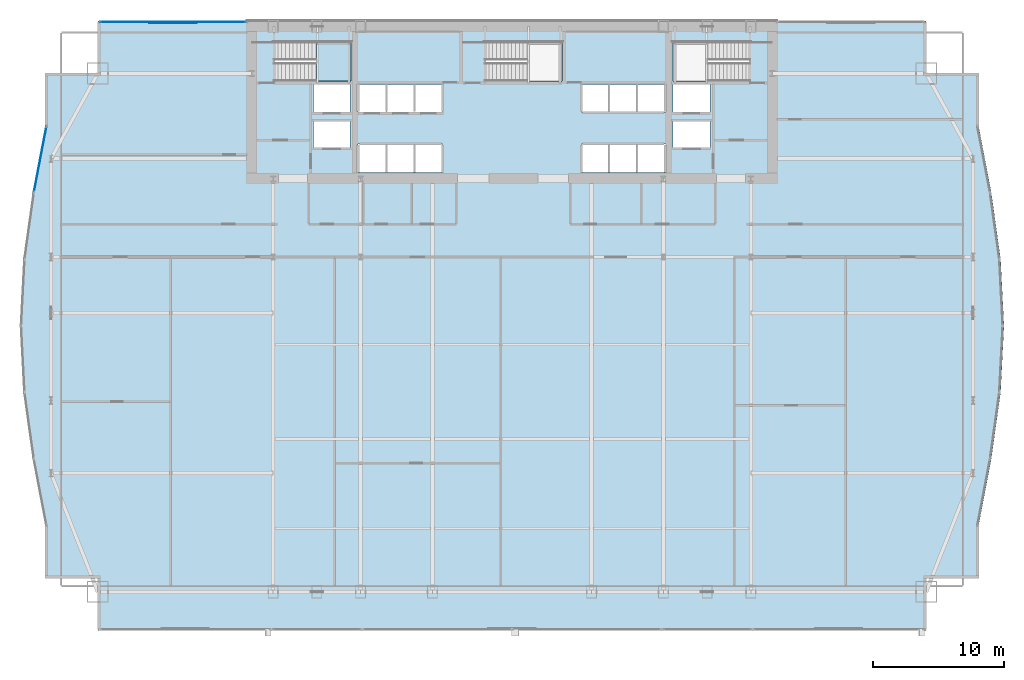
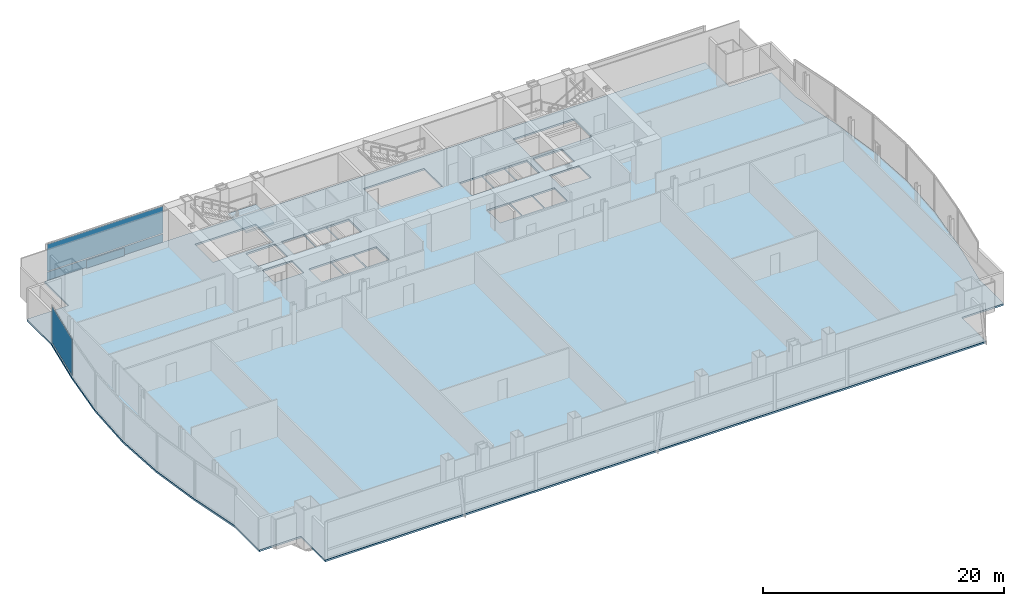
# One storey, part 28 of 37: 4 plates, 2 slabs, 3 elements without a shape of their own.
"""IFC4 building model written with IfcOpenShell, lengths in metres."""

import ifcopenshell
import ifcopenshell.guid

model = None  # the IFC model being written
_history = None  # IfcOwnerHistory: only IFC2X3 demands one
_inside = {}  # id of a spatial element -> (the spatial element, [elements in it])
_under = {}  # id of a project, library or spatial element -> (it, [spatial elements below it])
_declared = {}  # id of a project -> (the project, [libraries it declares])
_typed = {}  # id of a type object -> (the type object, [elements of that type])
_made_of = {}  # id of a material, layer set ... -> (it, [elements and type objects made of it])


def new_model(schema):
    """Start an empty IFC model of exactly this schema.

    Asked for "IFC4X3", IfcOpenShell would pick the latest addendum, in which some entities
    have other attributes; the version numbers below select the first issue.
    IFC2X3 requires an IfcOwnerHistory on every rooted entity: one is made here for all.
    """
    global model, _history
    if schema == "IFC4X3":
        model = ifcopenshell.file(schema_version=(4, 3, 0, 0))
    else:
        model = ifcopenshell.file(schema=schema)
    _inside.clear()
    _under.clear()
    _declared.clear()
    _typed.clear()
    _made_of.clear()
    _history = None
    if model.schema == "IFC2X3":
        org = make("IfcOrganization", Name="unknown")
        user = make(
            "IfcPersonAndOrganization",
            ThePerson=make("IfcPerson", FamilyName="unknown"),
            TheOrganization=org,
        )
        app = make(
            "IfcApplication",
            ApplicationDeveloper=org,
            Version="unknown",
            ApplicationFullName="unknown",
            ApplicationIdentifier="unknown",
        )
        _history = make(
            "IfcOwnerHistory",
            OwningUser=user,
            OwningApplication=app,
            ChangeAction="ADDED",
            CreationDate=0,
        )
    return model


def make(cls, **values):
    """One entity of the class cls with the attributes given. An attribute that is None is left unset."""
    return model.create_entity(
        cls, **{name: value for name, value in values.items() if value is not None}
    )


def rooted(cls, **values):
    """An entity with a GlobalId (a new one), such as an element, a storey or a relation."""
    return make(cls, GlobalId=ifcopenshell.guid.new(), OwnerHistory=_history, **values)


def si_unit(unit_type, name, prefix=None):
    """IfcSIUnit, for example si_unit("LENGTHUNIT", "METRE", prefix="MILLI")."""
    return make("IfcSIUnit", UnitType=unit_type, Prefix=prefix, Name=name)


def assignment(units):
    """IfcUnitAssignment: the units of a project."""
    return None if units is None else make("IfcUnitAssignment", Units=units)


def point(xyz):
    """IfcCartesianPoint."""
    return None if xyz is None else make("IfcCartesianPoint", Coordinates=xyz)


def direction(xyz):
    """IfcDirection."""
    return None if xyz is None else make("IfcDirection", DirectionRatios=xyz)


def frame(location, z_axis=None, x_axis=None):
    """IfcAxis2Placement3D, a coordinate frame: its origin and axes. An axis left out is left unset."""
    return make(
        "IfcAxis2Placement3D",
        Location=point(location),
        Axis=direction(z_axis),
        RefDirection=direction(x_axis),
    )


def frame_2d(location, x_axis=None):
    """IfcAxis2Placement2D, a coordinate frame in the plane: its origin and x axis."""
    return make(
        "IfcAxis2Placement2D", Location=point(location), RefDirection=direction(x_axis)
    )


def origin():
    """The frame at (0, 0, 0) with its axes left unset."""
    return frame((0.0, 0.0, 0.0))


def origin_2d():
    """The frame at (0, 0) in the plane with its x axis left unset."""
    return frame_2d((0.0, 0.0))


def place(relative_to, where):
    """IfcLocalPlacement: puts the frame where relative to a parent placement (None: the world)."""
    return make(
        "IfcLocalPlacement", PlacementRelTo=relative_to, RelativePlacement=where
    )


def context(
    kind, dimensions, precision=None, world=None, true_north=None, identifier=None
):
    """IfcGeometricRepresentationContext, for example the 3D "Model" context."""
    return make(
        "IfcGeometricRepresentationContext",
        ContextIdentifier=identifier,
        ContextType=kind,
        CoordinateSpaceDimension=dimensions,
        Precision=precision,
        WorldCoordinateSystem=world,
        TrueNorth=true_north,
    )


def subcontext(parent, identifier, kind, view, scale=None):
    """IfcGeometricRepresentationSubContext, for example "Body" below "Model"."""
    return make(
        "IfcGeometricRepresentationSubContext",
        ContextIdentifier=identifier,
        ContextType=kind,
        ParentContext=parent,
        TargetScale=scale,
        TargetView=view,
    )


def project(units=None, contexts=None):
    """IfcProject with its units and contexts."""
    return rooted(
        "IfcProject",
        Name="project",
        RepresentationContexts=contexts,
        UnitsInContext=assignment(units),
    )


def spatial(cls, under=None, at=None, **own):
    """A site, building, storey or space (cls), placed at a placement, below another one or the project."""
    s = rooted(cls, ObjectPlacement=at, **own)
    if under is not None:
        _under.setdefault(under.id(), (under, []))[1].append(s)
    return s


def polyline(points):
    """IfcPolyline through the points."""
    return make("IfcPolyline", Points=[point(p) for p in points])


def profile(cls, at=None, kind="AREA", **sizes):
    """A parametric profile (cls). Its sizes go by their IFC names, for example OverallWidth=200.0."""
    return make(cls, ProfileType=kind, Position=at, **sizes)


def rectangle(**sizes):
    """IfcRectangleProfileDef."""
    return profile("IfcRectangleProfileDef", **sizes)


def outline(outer, holes=None, kind="AREA"):
    """IfcArbitraryClosedProfileDef: a profile drawn as a closed curve; with holes, ...WithVoids."""
    if holes is None:
        return make("IfcArbitraryClosedProfileDef", ProfileType=kind, OuterCurve=outer)
    return make(
        "IfcArbitraryProfileDefWithVoids",
        ProfileType=kind,
        OuterCurve=outer,
        InnerCurves=holes,
    )


def extrude(swept, where, along, depth):
    """IfcExtrudedAreaSolid: the profile swept, set in the frame where, extruded along a direction by depth."""
    return make(
        "IfcExtrudedAreaSolid",
        SweptArea=swept,
        Position=where,
        ExtrudedDirection=direction(along),
        Depth=depth,
    )


def shape(context_of_items, identifier, shape_type, items):
    """IfcShapeRepresentation: the items that make up one representation, for example the "Body"."""
    return make(
        "IfcShapeRepresentation",
        ContextOfItems=context_of_items,
        RepresentationIdentifier=identifier,
        RepresentationType=shape_type,
        Items=items,
    )


def material(Name=None, Category=None):
    """IfcMaterial."""
    return make("IfcMaterial", Name=Name, Category=Category)


def layer(
    of_material, thickness, ventilated=None, Name=None, Category=None, Priority=None
):
    """IfcMaterialLayer: one layer of a wall or slab, of a material (None: an air gap)."""
    return make(
        "IfcMaterialLayer",
        Material=of_material,
        LayerThickness=thickness,
        IsVentilated=ventilated,
        Name=Name,
        Category=Category,
        Priority=Priority,
    )


def layer_set(layers, Name=None):
    """IfcMaterialLayerSet."""
    return make("IfcMaterialLayerSet", MaterialLayers=layers, LayerSetName=Name)


def made_of(thing, what):
    """Note that an element or type object is made of a material, layer set ...; save() writes the relation."""
    if what is not None:
        _made_of.setdefault(what.id(), (what, []))[1].append(thing)
    return thing


def type_object(cls, material=None, **own):
    """A type object (cls), such as IfcWallType, which elements share."""
    return made_of(rooted(cls, **own), material)


def element(
    cls,
    number,
    at=None,
    inside=None,
    cuts=None,
    type_object=None,
    material=None,
    context=None,
    identifier="Body",
    shape_type=None,
    held_by="IfcProductDefinitionShape",
    body=None,
    shapes=None,
    **own,
):
    """One element of the class cls, such as IfcWall. Its Tag is "e" and its number.

    at: its placement. inside: the storey or other place that contains it. cuts: it is an
    opening in that element (IfcRelVoidsElement). A single representation is given by context,
    identifier, shape_type and body (its items); several are given by shapes. held_by: the class
    of the entity that holds the representations. save() writes the other relations.
    """
    e = rooted(cls, Tag="e%d" % number, ObjectPlacement=at, **own)
    if body is not None:
        shapes = [shape(context, identifier, shape_type, body)]
    if shapes is not None:
        e.Representation = make(held_by, Representations=shapes)
    if inside is not None:
        _inside.setdefault(inside.id(), (inside, []))[1].append(e)
    if cuts is not None:
        rooted(
            "IfcRelVoidsElement", RelatingBuildingElement=cuts, RelatedOpeningElement=e
        )
    if type_object is not None:
        _typed.setdefault(type_object.id(), (type_object, []))[1].append(e)
    return made_of(e, material)


def aggregate(whole, parts):
    """IfcRelAggregates: a whole, such as a stair, and the parts it consists of."""
    return rooted("IfcRelAggregates", RelatingObject=whole, RelatedObjects=parts)


def save(model, path):
    """Write the relations noted so far, then the file.

    IfcRelAggregates (storeys below a building ...), IfcRelContainedInSpatialStructure (elements
    in a storey), IfcRelDefinesByType, IfcRelAssociatesMaterial and IfcRelDeclares: one each for
    every whole, place, type object, material and project.
    """
    for whole, parts in _under.values():
        aggregate(whole, parts)
    for where, things in _inside.values():
        rooted(
            "IfcRelContainedInSpatialStructure",
            RelatedElements=things,
            RelatingStructure=where,
        )
    for kind, things in _typed.values():
        rooted("IfcRelDefinesByType", RelatedObjects=things, RelatingType=kind)
    for what, things in _made_of.values():
        rooted("IfcRelAssociatesMaterial", RelatedObjects=things, RelatingMaterial=what)
    for by, libraries in _declared.values():
        rooted("IfcRelDeclares", RelatingContext=by, RelatedDefinitions=libraries)
    model.write(path)


model = new_model("IFC4")

# Units and contexts
model_context = context("Model", 3, precision=1e-05, world=origin(), true_north=direction((0.0, 1.0)))
body_context = subcontext(model_context, "Body", "Model", "MODEL_VIEW")
ifc_project = project(units=[si_unit("LENGTHUNIT", "METRE"), si_unit("AREAUNIT", "SQUARE_METRE"), si_unit("VOLUMEUNIT", "CUBIC_METRE"), si_unit("PLANEANGLEUNIT", "RADIAN"), si_unit("MASSUNIT", "GRAM", prefix="KILO")], contexts=[model_context])

# Site, building, storey
site_placement = place(None, origin())
site = spatial("IfcSite", under=ifc_project, at=site_placement, CompositionType="ELEMENT")
building_placement = place(site_placement, origin())
building = spatial("IfcBuilding", under=site, at=building_placement, Name="Khoronbel Lancet Exchange", CompositionType="ELEMENT")
storey_placement = place(building_placement, frame((0.0, 0.0, 45.800048828125)))
storey = spatial("IfcBuildingStorey", under=building, at=storey_placement, Name="L10", CompositionType="ELEMENT", Elevation=45.800048828125)

# Curtain wall, plates
ifc_material_1 = material(Name="Low-E Solar Control Insulating Glass", Category="glass")
curtain_wall_type_1 = type_object("IfcCurtainWallType", Name="CW-1", PredefinedType="NOTDEFINED", material=ifc_material_1)
curtain_wall_1_placement = place(storey_placement, origin())
curtain_wall_1 = element("IfcCurtainWall", 1, at=curtain_wall_1_placement, inside=storey, type_object=curtain_wall_type_1, Name="Unitised curtain wall CW-L10-NWFLK", PredefinedType="NOTDEFINED")
ifc_material_2 = material(Name="Bronze-Anodised Aluminium 6063-T6", Category="aluminium")
ifc_layer_1 = layer(ifc_material_2, 0.050048828125, Name="Bronze-Anodised Aluminium 6063-T6")
ifc_layer_set_1 = layer_set([ifc_layer_1], Name="Bronze-Anodised Aluminium 6063-T6")
plate_type_1 = type_object("IfcPlateType", Name="PLT-CSP1", PredefinedType="SHEET", material=ifc_layer_set_1)
plate_1_placement = place(storey_placement, frame((10.580078125, 53.550048828125, 0.0498046875), z_axis=(0.0, 0.0, 1.0), x_axis=(-1.0, 0.0, 0.0)))
plate_1 = element("IfcPlate", 2, at=plate_1_placement, type_object=plate_type_1, Name="Insulated bronze spandrel cassette CW-L10-NWFLK", PredefinedType="SHEET", context=body_context, shape_type="SweptSolid", body=[
    extrude(rectangle(XDim=3.60009765625, YDim=0.050048828125, at=origin_2d()), origin(), (0.0, 0.0, 1.0), 0.800048828125),
])
ifc_layer_2 = layer(ifc_material_1, 0.035888671875, Name="Low-E Solar Control Insulating Glass")
ifc_layer_set_2 = layer_set([ifc_layer_2], Name="Low-E Solar Control Insulating Glass")
plate_type_2 = type_object("IfcPlateType", Name="PLT-CWP1", PredefinedType="CURTAIN_PANEL", material=ifc_layer_set_2)
plate_2_placement = place(storey_placement, frame((10.580078125, 53.610107421875, 0.0849609375), z_axis=(0.0, 0.0, 1.0), x_axis=(-1.0, 0.0, 0.0)))
plate_2 = element("IfcPlate", 3, at=plate_2_placement, type_object=plate_type_2, Name="CW1 panel 1.1", PredefinedType="CURTAIN_PANEL", context=body_context, shape_type="SweptSolid", body=[
    extrude(rectangle(XDim=11.110107421875, YDim=0.0380859375, at=origin_2d()), origin(), (0.0, 0.0, 1.0), 0.822509765625),
])
plate_3_placement = place(storey_placement, frame((10.580078125, 53.610107421875, 0.99267578125), z_axis=(0.0, 0.0, 1.0), x_axis=(-1.0, 0.0, 0.0)))
plate_3 = element("IfcPlate", 4, at=plate_3_placement, type_object=plate_type_2, Name="CW1 panel 1.2", PredefinedType="CURTAIN_PANEL", context=body_context, shape_type="SweptSolid", body=[
    extrude(rectangle(XDim=11.110107421875, YDim=0.0380859375, at=origin_2d()), origin(), (0.0, 0.0, 1.0), 2.742431640625),
])
aggregate(curtain_wall_1, [plate_2, plate_3, plate_1])

# Curtain wall, plate
curtain_wall_type_2 = type_object("IfcCurtainWallType", Name="CW-4", PredefinedType="NOTDEFINED", material=ifc_material_1)
curtain_wall_2_placement = place(storey_placement, origin())
curtain_wall_2 = element("IfcCurtainWall", 5, at=curtain_wall_2_placement, inside=storey, type_object=curtain_wall_type_2, Name="Unitised curtain wall CW-L10-E09", PredefinedType="NOTDEFINED")
ifc_material_3 = material(Name="Ceramic-Fritted Laminated Insulating Glass", Category="glass")
ifc_layer_3 = layer(ifc_material_3, 0.0419921875, Name="Ceramic-Fritted Laminated Insulating Glass")
ifc_layer_set_3 = layer_set([ifc_layer_3], Name="Ceramic-Fritted Laminated Insulating Glass")
plate_type_3 = type_object("IfcPlateType", Name="PLT-CWP2", PredefinedType="CURTAIN_PANEL", material=ifc_layer_set_3)
plate_4_placement = place(storey_placement, frame((0.454345703125, 43.146728515625, 0.0849609375), z_axis=(0.0, 0.0, 1.0), x_axis=(0.187423391996, 0.982279223099, 0.0)))
plate_4 = element("IfcPlate", 6, at=plate_4_placement, type_object=plate_type_3, Name="CW4 panel 1.1", PredefinedType="CURTAIN_PANEL", context=body_context, shape_type="SweptSolid", body=[
    extrude(rectangle(XDim=5.03125, YDim=0.0380859375, at=origin_2d()), origin(), (0.0, 0.0, 1.0), 3.64990234375),
])
aggregate(curtain_wall_2, [plate_4])

# Slab
ifc_material_4 = material(Name="Concrete C40/50", Category="concrete")
ifc_layer_4 = layer(ifc_material_4, 0.179931640625, Name="Concrete C40/50")
ifc_layer_set_4 = layer_set([ifc_layer_4], Name="Concrete C40/50")
slab_type_1 = type_object("IfcSlabType", Name="SL-FL180", PredefinedType="FLOOR", material=ifc_layer_set_4)
slab_1_placement = place(storey_placement, frame((0.0, 0.0, -0.179931640625)))
element("IfcSlab", 7, at=slab_1_placement, inside=storey, type_object=slab_type_1, Name="Level L10 composite structural floor slab", PredefinedType="FLOOR", context=body_context, shape_type="SweptSolid", body=[
    extrude(outline(polyline([(4.85009765625, 7.199951171875), (68.050048828125, 7.199951171875), (68.050048828125, 11.199951171875), (72.050048828125, 11.199951171875), (72.050048828125, 15.199951171875), (73.02001953125, 20.283203125), (73.72998046875, 25.36669921875), (73.989990234375, 30.449951171875), (73.72998046875, 35.533203125), (73.02001953125, 40.61669921875), (72.050048828125, 45.699951171875), (72.050048828125, 49.699951171875), (68.050048828125, 49.699951171875), (68.050048828125, 53.699951171875), (4.85009765625, 53.699951171875), (4.85009765625, 49.699951171875), (0.85009765625, 49.699951171875), (0.85009765625, 45.699951171875), (-0.119873046875, 40.61669921875), (-0.830078125, 35.533203125), (-1.08984375, 30.449951171875), (-0.830078125, 25.36669921875), (-0.119873046875, 20.283203125), (0.85009765625, 15.199951171875), (0.85009765625, 11.199951171875), (4.85009765625, 11.199951171875), (4.85009765625, 7.199951171875)]), holes=[polyline([(18.324951171875, 49.1201171875), (24.14990234375, 49.1201171875), (24.14990234375, 52.10009765625), (18.324951171875, 52.10009765625), (18.324951171875, 49.1201171875)]), polyline([(48.75, 49.1201171875), (54.574951171875, 49.1201171875), (54.574951171875, 52.10009765625), (48.75, 52.10009765625), (48.75, 49.1201171875)]), polyline([(34.425048828125, 49.1201171875), (40.25, 49.1201171875), (40.25, 52.10009765625), (34.425048828125, 52.10009765625), (34.425048828125, 49.1201171875)]), polyline([(24.699951171875, 46.75), (26.840087890625, 46.75), (26.840087890625, 48.85009765625), (24.699951171875, 48.85009765625), (24.699951171875, 46.75)]), polyline([(26.860107421875, 46.75), (29.0, 46.75), (29.0, 48.85009765625), (26.860107421875, 48.85009765625), (26.860107421875, 46.75)]), polyline([(29.02001953125, 46.75), (31.159912109375, 46.75), (31.159912109375, 48.85009765625), (29.02001953125, 48.85009765625), (29.02001953125, 46.75)]), polyline([(24.699951171875, 42.14990234375), (26.840087890625, 42.14990234375), (26.840087890625, 44.300048828125), (24.699951171875, 44.300048828125), (24.699951171875, 42.14990234375)]), polyline([(26.860107421875, 42.14990234375), (29.0, 42.14990234375), (29.0, 44.300048828125), (26.860107421875, 44.300048828125), (26.860107421875, 42.14990234375)]), polyline([(29.02001953125, 42.14990234375), (31.159912109375, 42.14990234375), (31.159912109375, 44.300048828125), (29.02001953125, 44.300048828125), (29.02001953125, 42.14990234375)]), polyline([(41.739990234375, 46.75), (43.8798828125, 46.75), (43.8798828125, 48.85009765625), (41.739990234375, 48.85009765625), (41.739990234375, 46.75)]), polyline([(43.89990234375, 46.75), (46.0400390625, 46.75), (46.0400390625, 48.85009765625), (43.89990234375, 48.85009765625), (43.89990234375, 46.75)]), polyline([(46.06005859375, 46.75), (48.199951171875, 46.75), (48.199951171875, 48.85009765625), (46.06005859375, 48.85009765625), (46.06005859375, 46.75)]), polyline([(41.739990234375, 42.14990234375), (43.8798828125, 42.14990234375), (43.8798828125, 44.300048828125), (41.739990234375, 44.300048828125), (41.739990234375, 42.14990234375)]), polyline([(43.89990234375, 42.14990234375), (46.0400390625, 42.14990234375), (46.0400390625, 44.300048828125), (43.89990234375, 44.300048828125), (43.89990234375, 42.14990234375)]), polyline([(46.06005859375, 42.14990234375), (48.199951171875, 42.14990234375), (48.199951171875, 44.300048828125), (46.06005859375, 44.300048828125), (46.06005859375, 42.14990234375)]), polyline([(21.300048828125, 46.75), (24.10009765625, 46.75), (24.10009765625, 48.85009765625), (21.300048828125, 48.85009765625), (21.300048828125, 46.75)]), polyline([(48.75, 46.75), (51.550048828125, 46.75), (51.550048828125, 48.85009765625), (48.75, 48.85009765625), (48.75, 46.75)]), polyline([(21.300048828125, 44.050048828125), (24.10009765625, 44.050048828125), (24.10009765625, 46.050048828125), (21.300048828125, 46.050048828125), (21.300048828125, 44.050048828125)]), polyline([(48.75, 44.050048828125), (51.550048828125, 44.050048828125), (51.550048828125, 46.050048828125), (48.75, 46.050048828125), (48.75, 44.050048828125)])]), origin(), (0.0, 0.0, 1.0), 0.179931640625),
])

# Stair, slab
stair_type = type_object("IfcStairType", Name="STR-CORE150", PredefinedType="HALF_TURN_STAIR", material=ifc_material_4)
stair_placement = place(storey_placement, origin())
stair = element("IfcStair", 8, at=stair_placement, inside=storey, type_object=stair_type, Name="L10 Protected Exit Stair ST1", PredefinedType="HALF_TURN_STAIR")
ifc_layer_5 = layer(ifc_material_4, 0.199951171875, Name="Concrete C40/50")
ifc_layer_set_5 = layer_set([ifc_layer_5], Name="Concrete C40/50")
slab_type_2 = type_object("IfcSlabType", Name="SL-LND180", PredefinedType="LANDING", material=ifc_layer_set_5)
slab_2_placement = place(storey_placement, frame((0.0, 0.0, 1.800048828125)))
slab_2 = element("IfcSlab", 9, at=slab_2_placement, type_object=slab_type_2, Name="ST1 landing 1", PredefinedType="LANDING", context=body_context, shape_type="SweptSolid", body=[
    extrude(outline(polyline([(21.489990234375, 49.1201171875), (24.14990234375, 49.1201171875), (24.14990234375, 52.10009765625), (21.489990234375, 52.10009765625), (21.489990234375, 49.1201171875)])), origin(), (0.0, 0.0, 1.0), 0.199951171875),
])
aggregate(stair, [slab_2])

save(model, "model.ifc")
